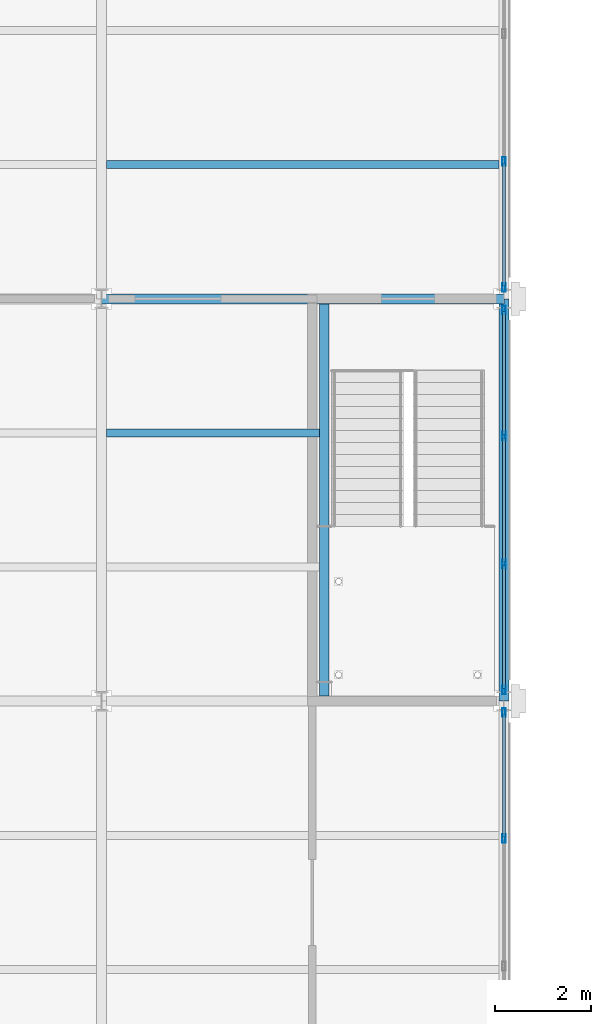
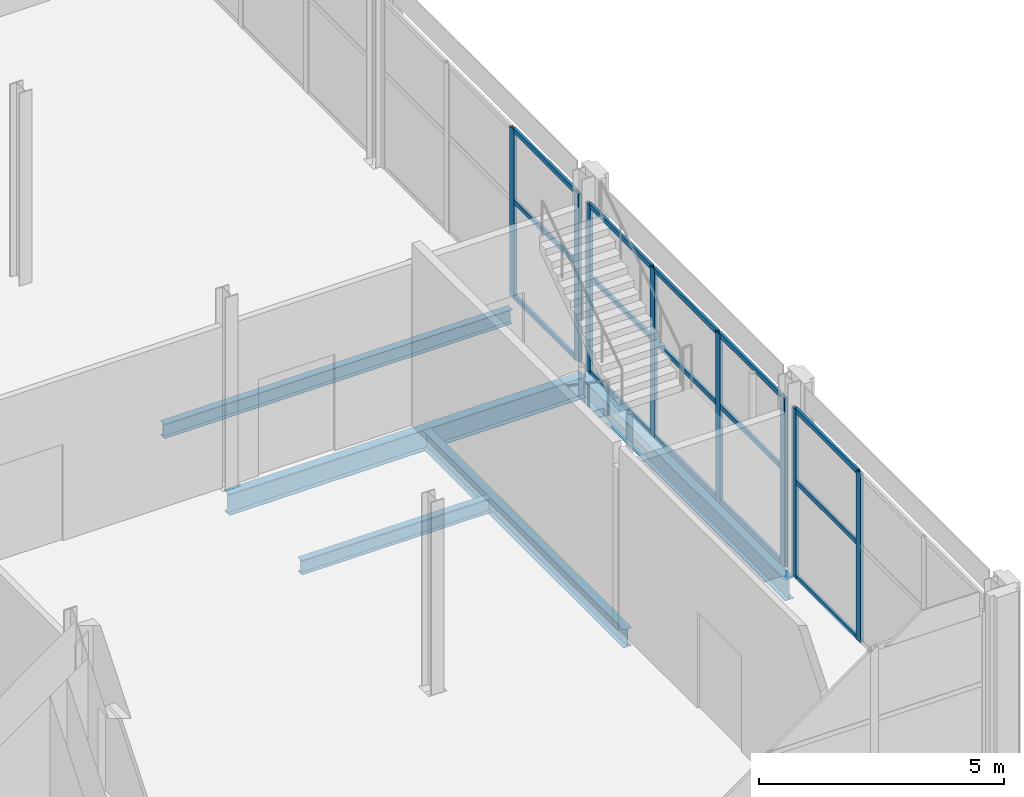
# One storey, part 122 of 167: 23 members, 5 beams, 3 elements without a shape of their own.
"""IFC4 building model written with IfcOpenShell, lengths in metres."""

from ifc_helpers import new_model, si_unit, direction, frame, origin, origin_2d, place, context, subcontext, project, spatial, hollow_rectangle, i_section, extrude, material, material_profile, profile_set, type_object, element, aggregate, save


model = new_model("IFC4")

# Units and contexts
model_context = context("Model", 3, precision=1e-05, world=origin(), true_north=direction((0.0, 1.0)))
body_context = subcontext(model_context, "Body", "Model", "MODEL_VIEW")
ifc_project = project(units=[si_unit("LENGTHUNIT", "METRE"), si_unit("AREAUNIT", "SQUARE_METRE"), si_unit("VOLUMEUNIT", "CUBIC_METRE"), si_unit("PLANEANGLEUNIT", "RADIAN"), si_unit("MASSUNIT", "GRAM", prefix="KILO")], contexts=[model_context])

# Site, building, storey
site_placement = place(None, origin())
site = spatial("IfcSite", under=ifc_project, at=site_placement, CompositionType="ELEMENT")
building_placement = place(site_placement, origin())
building = spatial("IfcBuilding", under=site, at=building_placement, Name="Catenary Quay Ferry Terminal", CompositionType="ELEMENT")
storey_placement = place(building_placement, frame((0.0, 0.0, 6.0)))
storey = spatial("IfcBuildingStorey", under=building, at=storey_placement, Name="L01", CompositionType="ELEMENT", Elevation=6.0)

# Beams
ifc_material_1 = material(Name="Steel S355", Category="steel")
ifc_material_profile_1 = material_profile(ifc_material_1, i_section(OverallWidth=0.18994140625, OverallDepth=0.453369140625, WebThickness=0.008544921875, FlangeThickness=0.0126953125, at=origin_2d()), Name="UB 457x191x67")
ifc_profile_set_1 = profile_set([ifc_material_profile_1], Name="Steel S355")
beam_type_1 = type_object("IfcBeamType", Name="B1 UB 457x191x67", PredefinedType="BEAM", material=ifc_profile_set_1)
beam_1_placement = place(storey_placement, frame((63.449951171875, 168.10400390625, -0.427001953125), z_axis=(0.0, 1.0, 0.0), x_axis=(-1.0, 0.0, 0.0)))
element("IfcBeam", 1, at=beam_1_placement, inside=storey, type_object=beam_type_1, Name="Beam B1-099", PredefinedType="BEAM", context=body_context, shape_type="SweptSolid", body=[
    extrude(i_section(OverallWidth=0.18994140625, OverallDepth=0.453369140625, WebThickness=0.008544921875, FlangeThickness=0.0126953125, at=origin_2d()), origin(), (0.0, 0.0, 1.0), 8.19189453125),
])
ifc_material_2 = material(Name="Steel S355", Category="steel")
ifc_material_profile_2 = material_profile(ifc_material_2, i_section(OverallWidth=0.208740234375, OverallDepth=0.5283203125, WebThickness=0.009521484375, FlangeThickness=0.01318359375, at=origin_2d()), Name="UB 533x210x82")
ifc_profile_set_2 = profile_set([ifc_material_profile_2], Name="Steel S355")
beam_type_2 = type_object("IfcBeamType", Name="B5 UB 533x210x82", PredefinedType="BEAM", material=ifc_profile_set_2)
for number, where, z_axis, x_axis, name in (
    (2, (58.800048828125, 176.39990234375, -0.464111328125), (1.0, 0.0, 0.0), (0.0, 1.0, 0.0), "Beam B5-009"),
    (3, (67.199951171875, 168.0, -0.464111328125), (0.0, 1.0, 0.0), (-1.0, 0.0, 0.0), "Beam B5-051"),
):
    element("IfcBeam", number, at=place(storey_placement, frame(where, z_axis=z_axis, x_axis=x_axis)), inside=storey, type_object=beam_type_2, Name=name, PredefinedType="BEAM", context=body_context, shape_type="SweptSolid", body=[
        extrude(i_section(OverallWidth=0.208740234375, OverallDepth=0.5283203125, WebThickness=0.009521484375, FlangeThickness=0.01318359375, at=origin_2d()), origin(), (0.0, 0.0, 1.0), 8.39990234375),
    ])
ifc_material_3 = material(Name="Steel S355", Category="steel")
ifc_material_profile_3 = material_profile(ifc_material_3, i_section(OverallWidth=0.169921875, OverallDepth=0.360107421875, WebThickness=0.008056640625, FlangeThickness=0.0126953125, at=origin_2d()), Name="IPE 360")
ifc_profile_set_3 = profile_set([ifc_material_profile_3], Name="Steel S355")
beam_type_3 = type_object("IfcBeamType", Name="B7 IPE 360", PredefinedType="BEAM", material=ifc_profile_set_3)
beam_2_placement = place(storey_placement, frame((58.904052734375, 173.60009765625, -0.3798828125), z_axis=(1.0, 0.0, 0.0), x_axis=(0.0, 1.0, 0.0)))
element("IfcBeam", 4, at=beam_2_placement, inside=storey, type_object=beam_type_3, Name="Beam B7-038", PredefinedType="BEAM", context=body_context, shape_type="SweptSolid", body=[
    extrude(i_section(OverallWidth=0.169921875, OverallDepth=0.360107421875, WebThickness=0.008056640625, FlangeThickness=0.0126953125, at=origin_2d()), origin(), (0.0, 0.0, 1.0), 4.450927734375),
])
beam_3_placement = place(storey_placement, frame((58.904052734375, 179.199951171875, -0.3798828125), z_axis=(1.0, 0.0, 0.0), x_axis=(0.0, 1.0, 0.0)))
element("IfcBeam", 5, at=beam_3_placement, inside=storey, type_object=beam_type_3, Name="Beam B7-043", PredefinedType="BEAM", context=body_context, shape_type="SweptSolid", body=[
    extrude(i_section(OverallWidth=0.169921875, OverallDepth=0.360107421875, WebThickness=0.008056640625, FlangeThickness=0.0126953125, at=origin_2d()), origin(), (0.0, 0.0, 1.0), 8.19189453125),
])

# Curtain wall, members
ifc_material_4 = material(Name="Aluminium and glass", Category="aluminium")
curtain_wall_type = type_object("IfcCurtainWallType", Name="CWW2", PredefinedType="NOTDEFINED", material=ifc_material_4)
curtain_wall_1_placement = place(storey_placement, origin())
curtain_wall_1 = element("IfcCurtainWall", 6, at=curtain_wall_1_placement, inside=storey, type_object=curtain_wall_type, Name="Wing curtain wall CW116", PredefinedType="NOTDEFINED")
ifc_material_5 = material(Name="Aluminium", Category="aluminium")
ifc_material_profile_4 = material_profile(ifc_material_5, hollow_rectangle(XDim=0.070068359375, YDim=0.179931640625, WallThickness=0.006103515625, at=origin_2d()), Name="MU3")
ifc_profile_set_4 = profile_set([ifc_material_profile_4], Name="Aluminium")
member_type_1 = type_object("IfcMemberType", Name="MU3", PredefinedType="MULLION", material=ifc_profile_set_4)
member_1_placement = place(storey_placement, frame((67.199951171875, 165.13330078125, 0.0), z_axis=(0.0, 0.0, 1.0), x_axis=(-1.0, 0.0, 0.0)))
member_1 = element("IfcMember", 7, at=member_1_placement, type_object=member_type_1, Name="CW116 mullion 3", PredefinedType="MULLION", context=body_context, shape_type="SweptSolid", body=[
    extrude(hollow_rectangle(XDim=0.070068359375, YDim=0.179931640625, WallThickness=0.006103515625, at=origin_2d()), origin(), (0.0, 0.0, 1.0), 4.199951171875),
])
member_2_placement = place(storey_placement, frame((67.199951171875, 167.764892578125, 0.0), z_axis=(0.0, 0.0, 1.0), x_axis=(-1.0, 0.0, 0.0)))
member_2 = element("IfcMember", 8, at=member_2_placement, type_object=member_type_1, Name="CW116 mullion 4", PredefinedType="MULLION", context=body_context, shape_type="SweptSolid", body=[
    extrude(hollow_rectangle(XDim=0.070068359375, YDim=0.179931640625, WallThickness=0.006103515625, at=origin_2d()), origin(), (0.0, 0.0, 1.0), 4.199951171875),
])

curtain_wall_2_placement = place(storey_placement, origin())
curtain_wall_2 = element("IfcCurtainWall", 9, at=curtain_wall_2_placement, inside=storey, type_object=curtain_wall_type, Name="Wing curtain wall CW117", PredefinedType="NOTDEFINED")
member_3_placement = place(storey_placement, frame((67.199951171875, 168.235107421875, 0.0), z_axis=(0.0, 0.0, 1.0), x_axis=(-1.0, 0.0, 0.0)))
member_3 = element("IfcMember", 10, at=member_3_placement, type_object=member_type_1, Name="CW117 mullion 1", PredefinedType="MULLION", context=body_context, shape_type="SweptSolid", body=[
    extrude(hollow_rectangle(XDim=0.070068359375, YDim=0.179931640625, WallThickness=0.006103515625, at=origin_2d()), origin(), (0.0, 0.0, 1.0), 4.199951171875),
])
member_4_placement = place(storey_placement, frame((67.199951171875, 170.86669921875, 0.0), z_axis=(0.0, 0.0, 1.0), x_axis=(-1.0, 0.0, 0.0)))
member_4 = element("IfcMember", 11, at=member_4_placement, type_object=member_type_1, Name="CW117 mullion 2", PredefinedType="MULLION", context=body_context, shape_type="SweptSolid", body=[
    extrude(hollow_rectangle(XDim=0.070068359375, YDim=0.179931640625, WallThickness=0.006103515625, at=origin_2d()), origin(), (0.0, 0.0, 1.0), 4.199951171875),
])
member_5_placement = place(storey_placement, frame((67.199951171875, 173.533447265625, 0.0), z_axis=(0.0, 0.0, 1.0), x_axis=(-1.0, 0.0, 0.0)))
member_5 = element("IfcMember", 12, at=member_5_placement, type_object=member_type_1, Name="CW117 mullion 3", PredefinedType="MULLION", context=body_context, shape_type="SweptSolid", body=[
    extrude(hollow_rectangle(XDim=0.070068359375, YDim=0.179931640625, WallThickness=0.006103515625, at=origin_2d()), origin(), (0.0, 0.0, 1.0), 4.199951171875),
])
member_6_placement = place(storey_placement, frame((67.199951171875, 176.1650390625, 0.0), z_axis=(0.0, 0.0, 1.0), x_axis=(-1.0, 0.0, 0.0)))
member_6 = element("IfcMember", 13, at=member_6_placement, type_object=member_type_1, Name="CW117 mullion 4", PredefinedType="MULLION", context=body_context, shape_type="SweptSolid", body=[
    extrude(hollow_rectangle(XDim=0.070068359375, YDim=0.179931640625, WallThickness=0.006103515625, at=origin_2d()), origin(), (0.0, 0.0, 1.0), 4.199951171875),
])

curtain_wall_3_placement = place(storey_placement, origin())
curtain_wall_3 = element("IfcCurtainWall", 14, at=curtain_wall_3_placement, inside=storey, type_object=curtain_wall_type, Name="Wing curtain wall CW118", PredefinedType="NOTDEFINED")
member_7_placement = place(storey_placement, frame((67.199951171875, 176.635009765625, 0.0), z_axis=(0.0, 0.0, 1.0), x_axis=(-1.0, 0.0, 0.0)))
member_7 = element("IfcMember", 15, at=member_7_placement, type_object=member_type_1, Name="CW118 mullion 1", PredefinedType="MULLION", context=body_context, shape_type="SweptSolid", body=[
    extrude(hollow_rectangle(XDim=0.070068359375, YDim=0.179931640625, WallThickness=0.006103515625, at=origin_2d()), origin(), (0.0, 0.0, 1.0), 4.199951171875),
])
member_8_placement = place(storey_placement, frame((67.199951171875, 179.2666015625, 0.0), z_axis=(0.0, 0.0, 1.0), x_axis=(-1.0, 0.0, 0.0)))
member_8 = element("IfcMember", 16, at=member_8_placement, type_object=member_type_1, Name="CW118 mullion 2", PredefinedType="MULLION", context=body_context, shape_type="SweptSolid", body=[
    extrude(hollow_rectangle(XDim=0.070068359375, YDim=0.179931640625, WallThickness=0.006103515625, at=origin_2d()), origin(), (0.0, 0.0, 1.0), 4.199951171875),
])

# Member
ifc_material_6 = material(Name="Aluminium", Category="aluminium")
ifc_material_profile_5 = material_profile(ifc_material_6, hollow_rectangle(XDim=0.06005859375, YDim=0.1201171875, WallThickness=0.0048828125, at=origin_2d()), Name="TR3")
ifc_profile_set_5 = profile_set([ifc_material_profile_5], Name="Aluminium")
member_type_2 = type_object("IfcMemberType", Name="TR3", PredefinedType="USERDEFINED", material=ifc_profile_set_5)
member_9_placement = place(storey_placement, frame((67.199951171875, 165.168212890625, 0.030029296875), z_axis=(0.0, 1.0, 0.0), x_axis=(-1.0, 0.0, 0.0)))
member_9 = element("IfcMember", 17, at=member_9_placement, type_object=member_type_2, Name="CW116 transom 3.1", ObjectType="TRANSOM", PredefinedType="USERDEFINED", context=body_context, shape_type="SweptSolid", body=[
    extrude(hollow_rectangle(XDim=0.06005859375, YDim=0.1201171875, WallThickness=0.0048828125, at=origin_2d()), origin(), (0.0, 0.0, 1.0), 2.561767578125),
])

member_10_placement = place(storey_placement, frame((67.199951171875, 165.168212890625, 2.39990234375), z_axis=(0.0, 1.0, 0.0), x_axis=(-1.0, 0.0, 0.0)))
member_10 = element("IfcMember", 18, at=member_10_placement, type_object=member_type_2, Name="CW116 transom 3.2", ObjectType="TRANSOM", PredefinedType="USERDEFINED", context=body_context, shape_type="SweptSolid", body=[
    extrude(hollow_rectangle(XDim=0.06005859375, YDim=0.1201171875, WallThickness=0.0048828125, at=origin_2d()), origin(), (0.0, 0.0, 1.0), 2.561767578125),
])

member_11_placement = place(storey_placement, frame((67.199951171875, 165.168212890625, 4.169921875), z_axis=(0.0, 1.0, 0.0), x_axis=(-1.0, 0.0, 0.0)))
member_11 = element("IfcMember", 19, at=member_11_placement, type_object=member_type_2, Name="CW116 transom 3.3", ObjectType="TRANSOM", PredefinedType="USERDEFINED", context=body_context, shape_type="SweptSolid", body=[
    extrude(hollow_rectangle(XDim=0.06005859375, YDim=0.1201171875, WallThickness=0.0048828125, at=origin_2d()), origin(), (0.0, 0.0, 1.0), 2.561767578125),
])

aggregate(curtain_wall_1, [member_1, member_2, member_9, member_10, member_11])

member_12_placement = place(storey_placement, frame((67.199951171875, 168.27001953125, 0.030029296875), z_axis=(0.0, 1.0, 0.0), x_axis=(-1.0, 0.0, 0.0)))
member_12 = element("IfcMember", 20, at=member_12_placement, type_object=member_type_2, Name="CW117 transom 1.1", ObjectType="TRANSOM", PredefinedType="USERDEFINED", context=body_context, shape_type="SweptSolid", body=[
    extrude(hollow_rectangle(XDim=0.06005859375, YDim=0.1201171875, WallThickness=0.0048828125, at=origin_2d()), origin(), (0.0, 0.0, 1.0), 2.561767578125),
])

member_13_placement = place(storey_placement, frame((67.199951171875, 168.27001953125, 2.39990234375), z_axis=(0.0, 1.0, 0.0), x_axis=(-1.0, 0.0, 0.0)))
member_13 = element("IfcMember", 21, at=member_13_placement, type_object=member_type_2, Name="CW117 transom 1.2", ObjectType="TRANSOM", PredefinedType="USERDEFINED", context=body_context, shape_type="SweptSolid", body=[
    extrude(hollow_rectangle(XDim=0.06005859375, YDim=0.1201171875, WallThickness=0.0048828125, at=origin_2d()), origin(), (0.0, 0.0, 1.0), 2.561767578125),
])

member_14_placement = place(storey_placement, frame((67.199951171875, 168.27001953125, 4.169921875), z_axis=(0.0, 1.0, 0.0), x_axis=(-1.0, 0.0, 0.0)))
member_14 = element("IfcMember", 22, at=member_14_placement, type_object=member_type_2, Name="CW117 transom 1.3", ObjectType="TRANSOM", PredefinedType="USERDEFINED", context=body_context, shape_type="SweptSolid", body=[
    extrude(hollow_rectangle(XDim=0.06005859375, YDim=0.1201171875, WallThickness=0.0048828125, at=origin_2d()), origin(), (0.0, 0.0, 1.0), 2.561767578125),
])

member_15_placement = place(storey_placement, frame((67.199951171875, 170.901611328125, 0.030029296875), z_axis=(0.0, 1.0, 0.0), x_axis=(-1.0, 0.0, 0.0)))
member_15 = element("IfcMember", 23, at=member_15_placement, type_object=member_type_2, Name="CW117 transom 2.1", ObjectType="TRANSOM", PredefinedType="USERDEFINED", context=body_context, shape_type="SweptSolid", body=[
    extrude(hollow_rectangle(XDim=0.06005859375, YDim=0.1201171875, WallThickness=0.0048828125, at=origin_2d()), origin(), (0.0, 0.0, 1.0), 2.5966796875),
])

member_16_placement = place(storey_placement, frame((67.199951171875, 170.901611328125, 2.39990234375), z_axis=(0.0, 1.0, 0.0), x_axis=(-1.0, 0.0, 0.0)))
member_16 = element("IfcMember", 24, at=member_16_placement, type_object=member_type_2, Name="CW117 transom 2.2", ObjectType="TRANSOM", PredefinedType="USERDEFINED", context=body_context, shape_type="SweptSolid", body=[
    extrude(hollow_rectangle(XDim=0.06005859375, YDim=0.1201171875, WallThickness=0.0048828125, at=origin_2d()), origin(), (0.0, 0.0, 1.0), 2.5966796875),
])

member_17_placement = place(storey_placement, frame((67.199951171875, 170.901611328125, 4.169921875), z_axis=(0.0, 1.0, 0.0), x_axis=(-1.0, 0.0, 0.0)))
member_17 = element("IfcMember", 25, at=member_17_placement, type_object=member_type_2, Name="CW117 transom 2.3", ObjectType="TRANSOM", PredefinedType="USERDEFINED", context=body_context, shape_type="SweptSolid", body=[
    extrude(hollow_rectangle(XDim=0.06005859375, YDim=0.1201171875, WallThickness=0.0048828125, at=origin_2d()), origin(), (0.0, 0.0, 1.0), 2.5966796875),
])

member_18_placement = place(storey_placement, frame((67.199951171875, 173.568359375, 0.030029296875), z_axis=(0.0, 1.0, 0.0), x_axis=(-1.0, 0.0, 0.0)))
member_18 = element("IfcMember", 26, at=member_18_placement, type_object=member_type_2, Name="CW117 transom 3.1", ObjectType="TRANSOM", PredefinedType="USERDEFINED", context=body_context, shape_type="SweptSolid", body=[
    extrude(hollow_rectangle(XDim=0.06005859375, YDim=0.1201171875, WallThickness=0.0048828125, at=origin_2d()), origin(), (0.0, 0.0, 1.0), 2.5615234375),
])

member_19_placement = place(storey_placement, frame((67.199951171875, 173.568359375, 2.39990234375), z_axis=(0.0, 1.0, 0.0), x_axis=(-1.0, 0.0, 0.0)))
member_19 = element("IfcMember", 27, at=member_19_placement, type_object=member_type_2, Name="CW117 transom 3.2", ObjectType="TRANSOM", PredefinedType="USERDEFINED", context=body_context, shape_type="SweptSolid", body=[
    extrude(hollow_rectangle(XDim=0.06005859375, YDim=0.1201171875, WallThickness=0.0048828125, at=origin_2d()), origin(), (0.0, 0.0, 1.0), 2.5615234375),
])

member_20_placement = place(storey_placement, frame((67.199951171875, 173.568359375, 4.169921875), z_axis=(0.0, 1.0, 0.0), x_axis=(-1.0, 0.0, 0.0)))
member_20 = element("IfcMember", 28, at=member_20_placement, type_object=member_type_2, Name="CW117 transom 3.3", ObjectType="TRANSOM", PredefinedType="USERDEFINED", context=body_context, shape_type="SweptSolid", body=[
    extrude(hollow_rectangle(XDim=0.06005859375, YDim=0.1201171875, WallThickness=0.0048828125, at=origin_2d()), origin(), (0.0, 0.0, 1.0), 2.5615234375),
])

aggregate(curtain_wall_2, [member_3, member_4, member_5, member_6, member_12, member_13, member_14, member_15, member_16, member_17, member_18, member_19, member_20])

member_21_placement = place(storey_placement, frame((67.199951171875, 176.669921875, 0.030029296875), z_axis=(0.0, 1.0, 0.0), x_axis=(-1.0, 0.0, 0.0)))
member_21 = element("IfcMember", 29, at=member_21_placement, type_object=member_type_2, Name="CW118 transom 1.1", ObjectType="TRANSOM", PredefinedType="USERDEFINED", context=body_context, shape_type="SweptSolid", body=[
    extrude(hollow_rectangle(XDim=0.06005859375, YDim=0.1201171875, WallThickness=0.0048828125, at=origin_2d()), origin(), (0.0, 0.0, 1.0), 2.561767578125),
])

member_22_placement = place(storey_placement, frame((67.199951171875, 176.669921875, 2.39990234375), z_axis=(0.0, 1.0, 0.0), x_axis=(-1.0, 0.0, 0.0)))
member_22 = element("IfcMember", 30, at=member_22_placement, type_object=member_type_2, Name="CW118 transom 1.2", ObjectType="TRANSOM", PredefinedType="USERDEFINED", context=body_context, shape_type="SweptSolid", body=[
    extrude(hollow_rectangle(XDim=0.06005859375, YDim=0.1201171875, WallThickness=0.0048828125, at=origin_2d()), origin(), (0.0, 0.0, 1.0), 2.561767578125),
])

member_23_placement = place(storey_placement, frame((67.199951171875, 176.669921875, 4.169921875), z_axis=(0.0, 1.0, 0.0), x_axis=(-1.0, 0.0, 0.0)))
member_23 = element("IfcMember", 31, at=member_23_placement, type_object=member_type_2, Name="CW118 transom 1.3", ObjectType="TRANSOM", PredefinedType="USERDEFINED", context=body_context, shape_type="SweptSolid", body=[
    extrude(hollow_rectangle(XDim=0.06005859375, YDim=0.1201171875, WallThickness=0.0048828125, at=origin_2d()), origin(), (0.0, 0.0, 1.0), 2.561767578125),
])

aggregate(curtain_wall_3, [member_7, member_8, member_21, member_22, member_23])

save(model, "model.ifc")
